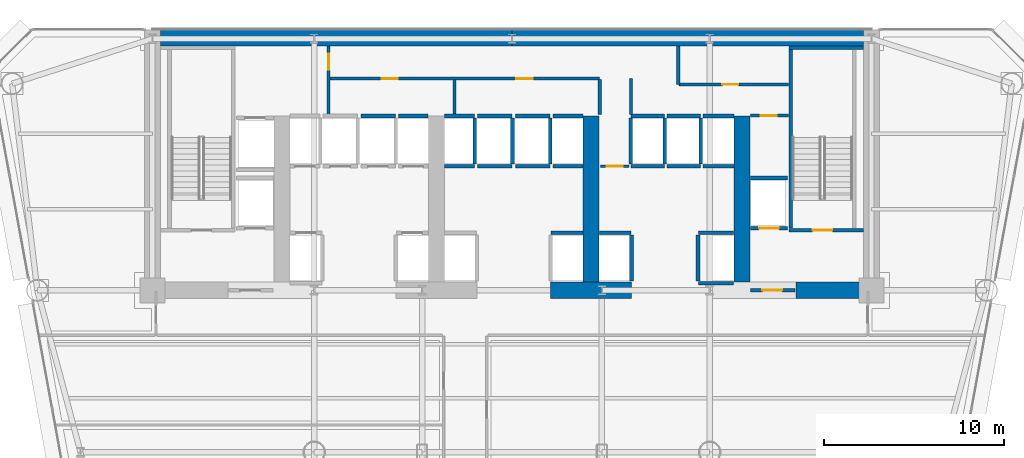
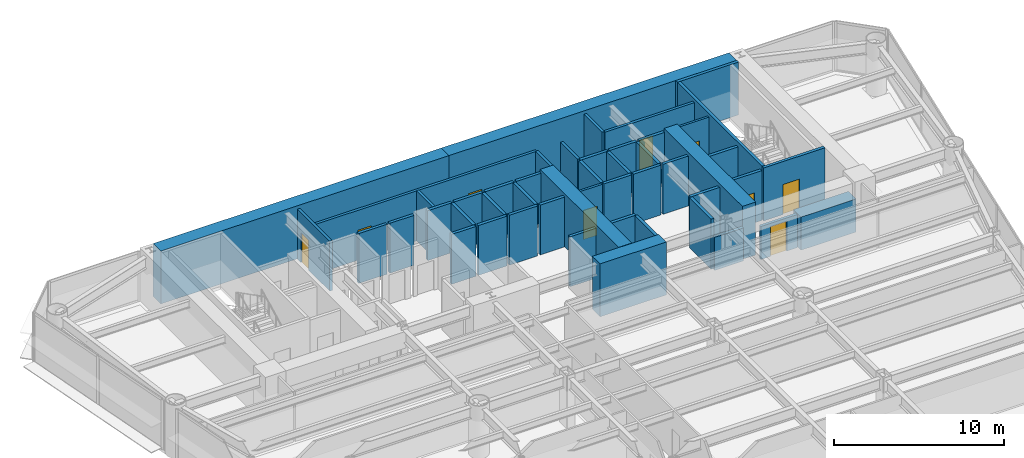
# One storey, part 9 of 14: 49 walls, 9 doors, 9 openings.
"""IFC4 building model written with IfcOpenShell, lengths in metres."""

from ifc_helpers import new_model, si_unit, direction, frame, frame_2d, origin, place, context, subcontext, project, spatial, rectangle, extrude, source, transform, mapped, material, layer, layer_set, type_object, element, fill, save


model = new_model("IFC4")

# Units and contexts
model_context = context("Model", 3, precision=1e-05, world=origin(), true_north=direction((0.0, 1.0)))
body_context = subcontext(model_context, "Body", "Model", "MODEL_VIEW")
ifc_project = project(units=[si_unit("LENGTHUNIT", "METRE"), si_unit("AREAUNIT", "SQUARE_METRE"), si_unit("VOLUMEUNIT", "CUBIC_METRE"), si_unit("PLANEANGLEUNIT", "RADIAN"), si_unit("MASSUNIT", "GRAM", prefix="KILO")], contexts=[model_context])

# Site, building, storey
site_placement = place(None, origin())
site = spatial("IfcSite", under=ifc_project, at=site_placement, CompositionType="ELEMENT")
building_placement = place(site_placement, origin())
building = spatial("IfcBuilding", under=site, at=building_placement, Name="Vaeldorn Concourse Tower", CompositionType="ELEMENT")
storey_placement = place(building_placement, frame((0.0, 0.0, 75.800048828125)))
storey = spatial("IfcBuildingStorey", under=building, at=storey_placement, Name="L19", CompositionType="ELEMENT", Elevation=75.800048828125)

# Walls
ifc_material_1 = material(Name="Concrete C60/75", Category="concrete")
ifc_layer_1 = layer(ifc_material_1, 0.89990234375)
ifc_layer_set_1 = layer_set([ifc_layer_1], Name="Concrete C60/75")
wall_type_1 = type_object("IfcWallType", Name="WL-CORE-900", PredefinedType="SHEAR", material=ifc_layer_set_1)
for number, where, z_axis, x_axis, name in (
    (1, (14.4541015625, 50.550048828125, 0.0), (0.0, 0.0, 1.0), (1.0, 0.0, 0.0), "Rear Core Shear Wall L19 N1"),
    (2, (34.001953125, 50.550048828125, 0.0), (0.0, 0.0, 1.0), (1.0, 0.0, 0.0), "Rear Core Shear Wall L19 N2"),
):
    element("IfcWall", number, at=place(storey_placement, frame(where, z_axis=z_axis, x_axis=x_axis)), inside=storey, type_object=wall_type_1, Name=name, PredefinedType="SHEAR", context=body_context, shape_type="SweptSolid", body=[
        extrude(rectangle(XDim=19.5439453125, YDim=0.89990234375, at=frame_2d((9.77197265625, 0.0))), origin(), (0.0, 0.0, 1.0), 3.800048828125),
    ])
wall_1_placement = place(storey_placement, frame((36.14990234375, 36.5, 0.0), z_axis=(0.0, 0.0, 1.0), x_axis=(1.0, 0.0, 0.0)))
element("IfcWall", 3, at=wall_1_placement, inside=storey, type_object=wall_type_1, Name="Rear Core Shear Wall L19 S3", PredefinedType="SHEAR", context=body_context, shape_type="SweptSolid", body=[
    extrude(rectangle(XDim=4.5, YDim=0.89990234375, at=frame_2d((2.25, 0.0))), origin(), (0.0, 0.0, 1.0), 3.800048828125),
])
wall_2_placement = place(storey_placement, frame((49.800048828125, 36.5, 0.0), z_axis=(0.0, 0.0, 1.0), x_axis=(1.0, 0.0, 0.0)))
element("IfcWall", 4, at=wall_2_placement, inside=storey, type_object=wall_type_1, Name="Rear Core Shear Wall L19 S4", PredefinedType="SHEAR", context=body_context, shape_type="SweptSolid", body=[
    extrude(rectangle(XDim=3.72998046875, YDim=0.89990234375, at=frame_2d((1.864990234375, 0.0))), origin(), (0.0, 0.0, 1.0), 2.3798828125),
])
for number, where, z_axis, x_axis, name in (
    (5, (38.39990234375, 36.969970703125, 0.0), (0.0, 0.0, 1.0), (0.0, 1.0, 0.0), "Rear Core Shear Wall L19 M3"),
    (6, (46.800048828125, 36.969970703125, 0.0), (0.0, 0.0, 1.0), (0.0, 1.0, 0.0), "Rear Core Shear Wall L19 M4"),
):
    element("IfcWall", number, at=place(storey_placement, frame(where, z_axis=z_axis, x_axis=x_axis)), inside=storey, type_object=wall_type_1, Name=name, PredefinedType="SHEAR", context=body_context, shape_type="SweptSolid", body=[
        extrude(rectangle(XDim=9.22998046875, YDim=0.89990234375, at=frame_2d((4.614990234375, 0.0))), origin(), (0.0, 0.0, 1.0), 3.800048828125),
    ])

# Wall, opening, door
ifc_material_2 = material(Name="Gypsum Board Partition", Category="gypsum")
ifc_layer_2 = layer(ifc_material_2, 0.14990234375)
ifc_layer_set_2 = layer_set([ifc_layer_2], Name="Gypsum Board Partition")
wall_type_2 = type_object("IfcWallType", Name="WL-PART-150", PredefinedType="PARTITIONING", material=ifc_layer_set_2)
wall_3_placement = place(storey_placement, frame((47.280029296875, 46.219970703125, 0.0), z_axis=(0.0, 0.0, 1.0), x_axis=(1.0, 0.0, 0.0)))
wall_3 = element("IfcWall", 7, at=wall_3_placement, inside=storey, type_object=wall_type_2, Name="Interior Wall CW-L19-CRSE-N", PredefinedType="PARTITIONING", context=body_context, shape_type="SweptSolid", body=[
    extrude(rectangle(XDim=2.099853515625, YDim=0.14990234375, at=frame_2d((1.0498046875, 0.0))), origin(), (0.0, 0.0, 1.0), 3.579833984375),
])
opening_1_placement = place(wall_3_placement, frame((0.550048828125, 0.0, 0.0)))
opening_1 = element("IfcOpeningElement", 8, at=opening_1_placement, cuts=wall_3, Name="Opening D-02", PredefinedType="OPENING", context=body_context, shape_type="SweptSolid", body=[
    extrude(rectangle(XDim=0.89990234375, YDim=2.10009765625, at=frame_2d((0.449951171875, 1.050048828125))), frame((0.0, 0.0849609375, 0.0), z_axis=(0.0, -1.0, 0.0), x_axis=(1.0, 0.0, 0.0)), (0.0, 0.0, 1.0), 0.169921875),
])
ifc_material_3 = material(Name="Fire-Rated Timber Leaf", Category="wood")
door_type_1 = type_object("IfcDoorType", Name="DR-FD30-900", OperationType="NOTDEFINED", PredefinedType="DOOR", material=ifc_material_3)
shared_shape_1 = source(origin(), body_context, "Body", "SweptSolid", [
    extrude(rectangle(XDim=0.89990234375, YDim=2.10009765625, at=frame_2d((0.449951171875, 1.050048828125))), frame((0.0, 0.02490234375, 0.0), z_axis=(0.0, -1.0, 0.0), x_axis=(1.0, 0.0, 0.0)), (0.0, 0.0, 1.0), 0.050048828125),
])
door_1_placement = place(opening_1_placement, origin())
door_1 = element("IfcDoor", 9, at=door_1_placement, inside=storey, type_object=door_type_1, Name="Interior Door DR-L19-CRSE", OperationType="SINGLE_SWING_RIGHT", OverallHeight=2.10009765625, OverallWidth=0.89990234375, PredefinedType="DOOR", context=body_context, shape_type="MappedRepresentation", body=[
    mapped(shared_shape_1, transform((0.0, 0.0, 0.0), scale=1.0)),
])
fill(opening_1, door_1)

wall_4_placement = place(storey_placement, frame((38.919921875, 43.39990234375, 0.0), z_axis=(0.0, 0.0, 1.0), x_axis=(1.0, 0.0, 0.0)))
wall_4 = element("IfcWall", 10, at=wall_4_placement, inside=storey, type_object=wall_type_2, Name="Interior Wall CW-L19-CCLINK", PredefinedType="PARTITIONING", context=body_context, shape_type="SweptSolid", body=[
    extrude(rectangle(XDim=1.60009765625, YDim=0.14990234375, at=frame_2d((0.800048828125, 0.0))), origin(), (0.0, 0.0, 1.0), 3.579833984375),
])
opening_2_placement = place(wall_4_placement, frame((0.35009765625, 0.0, 0.0)))
opening_2 = element("IfcOpeningElement", 11, at=opening_2_placement, cuts=wall_4, Name="Opening D-02", PredefinedType="OPENING", context=body_context, shape_type="SweptSolid", body=[
    extrude(rectangle(XDim=0.89990234375, YDim=2.10009765625, at=frame_2d((0.449951171875, 1.050048828125))), frame((0.0, 0.0849609375, 0.0), z_axis=(0.0, -1.0, 0.0), x_axis=(1.0, 0.0, 0.0)), (0.0, 0.0, 1.0), 0.169921875),
])
door_2_placement = place(opening_2_placement, origin())
door_2 = element("IfcDoor", 12, at=door_2_placement, inside=storey, type_object=door_type_1, Name="Interior Door DR-L19-CCLINK", OperationType="SINGLE_SWING_LEFT", OverallHeight=2.10009765625, OverallWidth=0.89990234375, PredefinedType="DOOR", context=body_context, shape_type="MappedRepresentation", body=[
    mapped(shared_shape_1, transform((0.0, 0.0, 0.0), scale=1.0)),
])
fill(opening_2, door_2)

# Wall, openings, doors
ifc_layer_3 = layer(ifc_material_2, 0.179931640625)
ifc_layer_set_3 = layer_set([ifc_layer_3], Name="Gypsum Board Partition")
wall_type_3 = type_object("IfcWallType", Name="WL-PLUMB-180", PredefinedType="PLUMBINGWALL", material=ifc_layer_set_3)
wall_5_placement = place(storey_placement, frame((23.85009765625, 48.280029296875, 0.0), z_axis=(0.0, 0.0, 1.0), x_axis=(1.0, 0.0, 0.0)))
wall_5 = element("IfcWall", 13, at=wall_5_placement, inside=storey, type_object=wall_type_3, Name="Interior Wall CW-L19-NS2W", PredefinedType="PLUMBINGWALL", context=body_context, shape_type="SweptSolid", body=[
    extrude(rectangle(XDim=15.02978515625, YDim=0.179931640625, at=frame_2d((7.514892578125, 0.0))), origin(), (0.0, 0.0, 1.0), 3.579833984375),
])
opening_3_placement = place(wall_5_placement, frame((2.89990234375, 0.0, 0.0)))
opening_3 = element("IfcOpeningElement", 14, at=opening_3_placement, cuts=wall_5, Name="Opening D-03", PredefinedType="OPENING", context=body_context, shape_type="SweptSolid", body=[
    extrude(rectangle(XDim=0.89990234375, YDim=2.14990234375, at=frame_2d((0.449951171875, 1.074951171875))), frame((0.0, 0.10009765625, 0.0), z_axis=(0.0, -1.0, 0.0), x_axis=(1.0, 0.0, 0.0)), (0.0, 0.0, 1.0), 0.199951171875),
])
opening_4_placement = place(wall_5_placement, frame((10.39990234375, 0.0, 0.0)))
opening_4 = element("IfcOpeningElement", 15, at=opening_4_placement, cuts=wall_5, Name="Opening D-03", PredefinedType="OPENING", context=body_context, shape_type="SweptSolid", body=[
    extrude(rectangle(XDim=0.89990234375, YDim=2.14990234375, at=frame_2d((0.449951171875, 1.074951171875))), frame((0.0, 0.10009765625, 0.0), z_axis=(0.0, -1.0, 0.0), x_axis=(1.0, 0.0, 0.0)), (0.0, 0.0, 1.0), 0.199951171875),
])
ifc_material_4 = material(Name="Acoustic Bronze-Framed Glass Door", Category="glass")
door_type_2 = type_object("IfcDoorType", Name="DR-INT-900", OperationType="NOTDEFINED", PredefinedType="DOOR", material=ifc_material_4)
shared_shape_2 = source(origin(), body_context, "Body", "SweptSolid", [
    extrude(rectangle(XDim=0.89990234375, YDim=2.14990234375, at=frame_2d((0.449951171875, 1.074951171875))), frame((0.0, 0.02490234375, 0.0), z_axis=(0.0, -1.0, 0.0), x_axis=(1.0, 0.0, 0.0)), (0.0, 0.0, 1.0), 0.050048828125),
])
door_3_placement = place(opening_3_placement, origin())
door_3 = element("IfcDoor", 16, at=door_3_placement, inside=storey, type_object=door_type_2, Name="Interior Door DR-L19-CS2", OperationType="SINGLE_SWING_RIGHT", OverallHeight=2.14990234375, OverallWidth=0.89990234375, PredefinedType="DOOR", context=body_context, shape_type="MappedRepresentation", body=[
    mapped(shared_shape_2, transform((0.0, 0.0, 0.0), scale=1.0)),
])
fill(opening_3, door_3)
door_4_placement = place(opening_4_placement, origin())
door_4 = element("IfcDoor", 17, at=door_4_placement, inside=storey, type_object=door_type_2, Name="Interior Door DR-L19-CS3", OperationType="SINGLE_SWING_LEFT", OverallHeight=2.14990234375, OverallWidth=0.89990234375, PredefinedType="DOOR", context=body_context, shape_type="MappedRepresentation", body=[
    mapped(shared_shape_2, transform((0.0, 0.0, 0.0), scale=1.0)),
])
fill(opening_4, door_4)

# Wall, opening, door
wall_6_placement = place(storey_placement, frame((23.800048828125, 46.280029296875, 0.0), z_axis=(0.0, 0.0, 1.0), x_axis=(0.0, 1.0, 0.0)))
wall_6 = element("IfcWall", 18, at=wall_6_placement, inside=storey, type_object=wall_type_3, Name="Interior Wall CW-L19-SDIV1", PredefinedType="PLUMBINGWALL", context=body_context, shape_type="SweptSolid", body=[
    extrude(rectangle(XDim=3.800048828125, YDim=0.179931640625, at=frame_2d((1.89990234375, 0.0))), origin(), (0.0, 0.0, 1.0), 3.579833984375),
])
opening_5_placement = place(wall_6_placement, frame((2.485107421875, 0.0, 0.0)))
opening_5 = element("IfcOpeningElement", 19, at=opening_5_placement, cuts=wall_6, Name="Opening D-03", PredefinedType="OPENING", context=body_context, shape_type="SweptSolid", body=[
    extrude(rectangle(XDim=0.89990234375, YDim=2.14990234375, at=frame_2d((0.449951171875, 1.074951171875))), frame((0.0, 0.10009765625, 0.0), z_axis=(0.0, -1.0, 0.0), x_axis=(1.0, 0.0, 0.0)), (0.0, 0.0, 1.0), 0.199951171875),
])
door_5_placement = place(opening_5_placement, origin())
door_5 = element("IfcDoor", 20, at=door_5_placement, inside=storey, type_object=door_type_2, Name="Interior Door DR-L19-CS1", OperationType="SINGLE_SWING_LEFT", OverallHeight=2.14990234375, OverallWidth=0.89990234375, PredefinedType="DOOR", context=body_context, shape_type="MappedRepresentation", body=[
    mapped(shared_shape_2, transform((0.0, 0.0, 0.0), scale=1.0)),
])
fill(opening_5, door_5)

# Walls
for number, where, z_axis, x_axis, name in (
    (21, (30.800048828125, 46.280029296875, 0.0), (0.0, 0.0, 1.0), (0.0, 1.0, 0.0), "Interior Wall CW-L19-SDIV2"),
    (22, (38.8798828125, 46.280029296875, 0.0), (0.0, 0.0, 1.0), (0.0, 1.0, 0.0), "Interior Wall CW-L19-SDIV4"),
):
    element("IfcWall", number, at=place(storey_placement, frame(where, z_axis=z_axis, x_axis=x_axis)), inside=storey, type_object=wall_type_3, Name=name, PredefinedType="PLUMBINGWALL", context=body_context, shape_type="SweptSolid", body=[
        extrude(rectangle(XDim=1.93994140625, YDim=0.179931640625, at=frame_2d((0.969970703125, 0.0))), origin(), (0.0, 0.0, 1.0), 3.579833984375),
    ])
wall_7_placement = place(storey_placement, frame((40.6201171875, 46.280029296875, 0.0), z_axis=(0.0, 0.0, 1.0), x_axis=(0.0, 1.0, 0.0)))
element("IfcWall", 23, at=wall_7_placement, inside=storey, type_object=wall_type_3, Name="Interior Wall CW-L19-SDIV5", PredefinedType="PLUMBINGWALL", context=body_context, shape_type="SweptSolid", body=[
    extrude(rectangle(XDim=2.0, YDim=0.179931640625, at=frame_2d((1.0, 0.0))), origin(), (0.0, 0.0, 1.0), 3.579833984375),
])
wall_8_placement = place(storey_placement, frame((43.25, 47.949951171875, 0.0), z_axis=(0.0, 0.0, 1.0), x_axis=(0.0, 1.0, 0.0)))
element("IfcWall", 24, at=wall_8_placement, inside=storey, type_object=wall_type_3, Name="Interior Wall CW-L19-SDIV6", PredefinedType="PLUMBINGWALL", context=body_context, shape_type="SweptSolid", body=[
    extrude(rectangle(XDim=2.130126953125, YDim=0.179931640625, at=frame_2d((1.06494140625, 0.0))), origin(), (0.0, 0.0, 1.0), 3.579833984375),
])

# Wall, opening, door
wall_9_placement = place(storey_placement, frame((43.300048828125, 47.949951171875, 0.0), z_axis=(0.0, 0.0, 1.0), x_axis=(1.0, 0.0, 0.0)))
wall_9 = element("IfcWall", 25, at=wall_9_placement, inside=storey, type_object=wall_type_3, Name="Interior Wall CW-L19-NS2EE", PredefinedType="PLUMBINGWALL", context=body_context, shape_type="SweptSolid", body=[
    extrude(rectangle(XDim=6.079833984375, YDim=0.179931640625, at=frame_2d((3.0400390625, 0.0))), origin(), (0.0, 0.0, 1.0), 3.579833984375),
])
opening_6_placement = place(wall_9_placement, frame((2.39990234375, 0.0, 0.0)))
opening_6 = element("IfcOpeningElement", 26, at=opening_6_placement, cuts=wall_9, Name="Opening D-03", PredefinedType="OPENING", context=body_context, shape_type="SweptSolid", body=[
    extrude(rectangle(XDim=0.89990234375, YDim=2.14990234375, at=frame_2d((0.449951171875, 1.074951171875))), frame((0.0, 0.10009765625, 0.0), z_axis=(0.0, -1.0, 0.0), x_axis=(1.0, 0.0, 0.0)), (0.0, 0.0, 1.0), 0.199951171875),
])
door_6_placement = place(opening_6_placement, origin())
door_6 = element("IfcDoor", 27, at=door_6_placement, inside=storey, type_object=door_type_2, Name="Interior Door DR-L19-CS5", OperationType="SINGLE_SWING_RIGHT", OverallHeight=2.14990234375, OverallWidth=0.89990234375, PredefinedType="DOOR", context=body_context, shape_type="MappedRepresentation", body=[
    mapped(shared_shape_2, transform((0.0, 0.0, 0.0), scale=1.0)),
])
fill(opening_6, door_6)

ifc_material_5 = material(Name="Concrete C50/60", Category="concrete")
ifc_layer_4 = layer(ifc_material_5, 0.199951171875)
ifc_layer_set_4 = layer_set([ifc_layer_4], Name="Concrete C50/60")
wall_type_4 = type_object("IfcWallType", Name="WL-SHAFT-200", PredefinedType="SOLIDWALL", material=ifc_layer_set_4)
wall_10_placement = place(storey_placement, frame((49.39990234375, 39.85009765625, 0.0), z_axis=(0.0, 0.0, 1.0), x_axis=(1.0, 0.0, 0.0)))
wall_10 = element("IfcWall", 28, at=wall_10_placement, inside=storey, type_object=wall_type_4, Name="Stair Shaft Wall CW-L19-ST-2-S", PredefinedType="SOLIDWALL", context=body_context, shape_type="SweptSolid", body=[
    extrude(rectangle(XDim=4.150146484375, YDim=0.199951171875, at=frame_2d((2.0751953125, 0.0))), origin(), (0.0, 0.0, 1.0), 3.800048828125),
])
opening_7_placement = place(wall_10_placement, frame((1.324951171875, 0.0, 0.0)))
opening_7 = element("IfcOpeningElement", 29, at=opening_7_placement, cuts=wall_10, Name="Opening D-01", PredefinedType="OPENING", context=body_context, shape_type="SweptSolid", body=[
    extrude(rectangle(XDim=1.10009765625, YDim=2.14990234375, at=frame_2d((0.550048828125, 1.074951171875))), frame((0.0, 0.10986328125, 0.0), z_axis=(0.0, -1.0, 0.0), x_axis=(1.0, 0.0, 0.0)), (0.0, 0.0, 1.0), 0.219970703125),
])
ifc_material_6 = material(Name="Fire-Rated Timber and Steel Leaf", Category="steel")
door_type_3 = type_object("IfcDoorType", Name="DR-FD60-1100", OperationType="NOTDEFINED", PredefinedType="DOOR", material=ifc_material_6)
shared_shape_3 = source(origin(), body_context, "Body", "SweptSolid", [
    extrude(rectangle(XDim=1.10009765625, YDim=2.14990234375, at=frame_2d((0.550048828125, 1.074951171875))), frame((0.0, 0.02490234375, 0.0), z_axis=(0.0, -1.0, 0.0), x_axis=(1.0, 0.0, 0.0)), (0.0, 0.0, 1.0), 0.050048828125),
])
door_7_placement = place(opening_7_placement, origin())
door_7 = element("IfcDoor", 30, at=door_7_placement, inside=storey, type_object=door_type_3, Name="Interior Door DR-L19-ST-2", OperationType="SINGLE_SWING_RIGHT", OverallHeight=2.14990234375, OverallWidth=1.10009765625, PredefinedType="DOOR", context=body_context, shape_type="MappedRepresentation", body=[
    mapped(shared_shape_3, transform((0.0, 0.0, 0.0), scale=1.0)),
])
fill(opening_7, door_7)

# Walls
wall_11_placement = place(storey_placement, frame((49.39990234375, 50.0, 0.0), z_axis=(0.0, 0.0, 1.0), x_axis=(1.0, 0.0, 0.0)))
element("IfcWall", 31, at=wall_11_placement, inside=storey, type_object=wall_type_4, Name="Stair Shaft Wall CW-L19-ST-2-N", PredefinedType="SOLIDWALL", context=body_context, shape_type="SweptSolid", body=[
    extrude(rectangle(XDim=4.150146484375, YDim=0.199951171875, at=frame_2d((2.0751953125, 0.0))), origin(), (0.0, 0.0, 1.0), 3.800048828125),
])
wall_12_placement = place(storey_placement, frame((49.5, 39.9599609375, 0.0), z_axis=(0.0, 0.0, 1.0), x_axis=(0.0, 1.0, 0.0)))
element("IfcWall", 32, at=wall_12_placement, inside=storey, type_object=wall_type_4, Name="Stair Shaft Wall CW-L19-ST-2-W", PredefinedType="SOLIDWALL", context=body_context, shape_type="SweptSolid", body=[
    extrude(rectangle(XDim=9.929931640625, YDim=0.199951171875, at=frame_2d((4.96484375, 0.0))), origin(), (0.0, 0.0, 1.0), 3.800048828125),
])

# Wall, opening, door
wall_13_placement = place(storey_placement, frame((47.280029296875, 36.5, 0.0), z_axis=(0.0, 0.0, 1.0), x_axis=(1.0, 0.0, 0.0)))
wall_13 = element("IfcWall", 33, at=wall_13_placement, inside=storey, type_object=wall_type_4, Name="Interior Wall CW-L19-FF2S", PredefinedType="SOLIDWALL", context=body_context, shape_type="SweptSolid", body=[
    extrude(rectangle(XDim=2.469970703125, YDim=0.199951171875, at=frame_2d((1.23486328125, 0.0))), origin(), (0.0, 0.0, 1.0), 2.369873046875),
])
opening_8_placement = place(wall_13_placement, frame((0.64990234375, 0.0, 0.0)))
opening_8 = element("IfcOpeningElement", 34, at=opening_8_placement, cuts=wall_13, Name="Opening D-01", PredefinedType="OPENING", context=body_context, shape_type="SweptSolid", body=[
    extrude(rectangle(XDim=1.10009765625, YDim=2.14990234375, at=frame_2d((0.550048828125, 1.074951171875))), frame((0.0, 0.10986328125, 0.0), z_axis=(0.0, -1.0, 0.0), x_axis=(1.0, 0.0, 0.0)), (0.0, 0.0, 1.0), 0.219970703125),
])
door_8_placement = place(opening_8_placement, origin())
door_8 = element("IfcDoor", 35, at=door_8_placement, inside=storey, type_object=door_type_3, Name="Interior Door DR-L19-FF2W", OperationType="SINGLE_SWING_LEFT", OverallHeight=2.14990234375, OverallWidth=1.10009765625, PredefinedType="DOOR", context=body_context, shape_type="MappedRepresentation", body=[
    mapped(shared_shape_3, transform((0.0, 0.0, 0.0), scale=1.0)),
])
fill(opening_8, door_8)

# Walls
wall_14_placement = place(storey_placement, frame((25.590087890625, 46.199951171875, 0.0), z_axis=(0.0, 0.0, 1.0), x_axis=(1.0, 0.0, 0.0)))
element("IfcWall", 36, at=wall_14_placement, inside=storey, type_object=wall_type_4, Name="Interior Wall CW-L19-LFB-LF-05", PredefinedType="SOLIDWALL", context=body_context, shape_type="SweptSolid", body=[
    extrude(rectangle(XDim=1.919921875, YDim=0.199951171875, at=frame_2d((0.9599609375, 0.0))), origin(), (0.0, 0.0, 1.0), 3.579833984375),
])
wall_15_placement = place(storey_placement, frame((27.68994140625, 46.199951171875, 0.0), z_axis=(0.0, 0.0, 1.0), x_axis=(1.0, 0.0, 0.0)))
element("IfcWall", 37, at=wall_15_placement, inside=storey, type_object=wall_type_4, Name="Interior Wall CW-L19-LFB-LF-06", PredefinedType="SOLIDWALL", context=body_context, shape_type="SweptSolid", body=[
    extrude(rectangle(XDim=1.650146484375, YDim=0.199951171875, at=frame_2d((0.8251953125, 0.0))), origin(), (0.0, 0.0, 1.0), 3.579833984375),
])
wall_16_placement = place(storey_placement, frame((36.169921875, 39.699951171875, 0.0), z_axis=(0.0, 0.0, 1.0), x_axis=(1.0, 0.0, 0.0)))
element("IfcWall", 38, at=wall_16_placement, inside=storey, type_object=wall_type_4, Name="Interior Wall CW-L19-LF-LF-08", PredefinedType="SOLIDWALL", context=body_context, shape_type="SweptSolid", body=[
    extrude(rectangle(XDim=1.77001953125, YDim=0.199951171875, at=frame_2d((0.885009765625, 0.0))), origin(), (0.0, 0.0, 1.0), 3.579833984375),
])
for number, where, z_axis, x_axis, name in (
    (39, (30.260009765625, 43.39990234375, 0.0), (0.0, 0.0, 1.0), (1.0, 0.0, 0.0), "Interior Wall CW-L19-LF-LF-09"),
    (40, (30.260009765625, 46.199951171875, 0.0), (0.0, 0.0, 1.0), (1.0, 0.0, 0.0), "Interior Wall CW-L19-LFB-LF-09"),
):
    element("IfcWall", number, at=place(storey_placement, frame(where, z_axis=z_axis, x_axis=x_axis)), inside=storey, type_object=wall_type_4, Name=name, PredefinedType="SOLIDWALL", context=body_context, shape_type="SweptSolid", body=[
        extrude(rectangle(XDim=1.64990234375, YDim=0.199951171875, at=frame_2d((0.824951171875, 0.0))), origin(), (0.0, 0.0, 1.0), 3.579833984375),
    ])
wall_17_placement = place(storey_placement, frame((31.929931640625, 43.52001953125, 0.0), z_axis=(0.0, 0.0, 1.0), x_axis=(0.0, 1.0, 0.0)))
element("IfcWall", 41, at=wall_17_placement, inside=storey, type_object=wall_type_4, Name="Interior Wall CW-L19-LFE-LF-09", PredefinedType="SOLIDWALL", context=body_context, shape_type="SweptSolid", body=[
    extrude(rectangle(XDim=2.56005859375, YDim=0.199951171875, at=frame_2d((1.280029296875, 0.0))), origin(), (0.0, 0.0, 1.0), 3.579833984375),
])
for number, where, z_axis, x_axis, name in (
    (42, (32.090087890625, 43.39990234375, 0.0), (0.0, 0.0, 1.0), (1.0, 0.0, 0.0), "Interior Wall CW-L19-LF-LF-10"),
    (43, (32.090087890625, 46.199951171875, 0.0), (0.0, 0.0, 1.0), (1.0, 0.0, 0.0), "Interior Wall CW-L19-LFB-LF-10"),
):
    element("IfcWall", number, at=place(storey_placement, frame(where, z_axis=z_axis, x_axis=x_axis)), inside=storey, type_object=wall_type_4, Name=name, PredefinedType="SOLIDWALL", context=body_context, shape_type="SweptSolid", body=[
        extrude(rectangle(XDim=1.919921875, YDim=0.199951171875, at=frame_2d((0.9599609375, 0.0))), origin(), (0.0, 0.0, 1.0), 3.579833984375),
    ])
wall_18_placement = place(storey_placement, frame((34.030029296875, 43.52001953125, 0.0), z_axis=(0.0, 0.0, 1.0), x_axis=(0.0, 1.0, 0.0)))
element("IfcWall", 44, at=wall_18_placement, inside=storey, type_object=wall_type_4, Name="Interior Wall CW-L19-LFE-LF-10", PredefinedType="SOLIDWALL", context=body_context, shape_type="SweptSolid", body=[
    extrude(rectangle(XDim=2.56005859375, YDim=0.199951171875, at=frame_2d((1.280029296875, 0.0))), origin(), (0.0, 0.0, 1.0), 3.579833984375),
])
for number, where, z_axis, x_axis, name in (
    (45, (34.18994140625, 43.39990234375, 0.0), (0.0, 0.0, 1.0), (1.0, 0.0, 0.0), "Interior Wall CW-L19-LF-LF-11"),
    (46, (34.18994140625, 46.199951171875, 0.0), (0.0, 0.0, 1.0), (1.0, 0.0, 0.0), "Interior Wall CW-L19-LFB-LF-11"),
):
    element("IfcWall", number, at=place(storey_placement, frame(where, z_axis=z_axis, x_axis=x_axis)), inside=storey, type_object=wall_type_4, Name=name, PredefinedType="SOLIDWALL", context=body_context, shape_type="SweptSolid", body=[
        extrude(rectangle(XDim=1.920166015625, YDim=0.199951171875, at=frame_2d((0.9599609375, 0.0))), origin(), (0.0, 0.0, 1.0), 3.579833984375),
    ])
wall_19_placement = place(storey_placement, frame((36.1298828125, 43.52001953125, 0.0), z_axis=(0.0, 0.0, 1.0), x_axis=(0.0, 1.0, 0.0)))
element("IfcWall", 47, at=wall_19_placement, inside=storey, type_object=wall_type_4, Name="Interior Wall CW-L19-LFE-LF-11", PredefinedType="SOLIDWALL", context=body_context, shape_type="SweptSolid", body=[
    extrude(rectangle(XDim=2.56005859375, YDim=0.199951171875, at=frame_2d((1.280029296875, 0.0))), origin(), (0.0, 0.0, 1.0), 3.579833984375),
])
for number, where, z_axis, x_axis, name in (
    (48, (36.2900390625, 43.39990234375, 0.0), (0.0, 0.0, 1.0), (1.0, 0.0, 0.0), "Interior Wall CW-L19-LF-LF-12"),
    (49, (36.2900390625, 46.199951171875, 0.0), (0.0, 0.0, 1.0), (1.0, 0.0, 0.0), "Interior Wall CW-L19-LFB-LF-12"),
):
    element("IfcWall", number, at=place(storey_placement, frame(where, z_axis=z_axis, x_axis=x_axis)), inside=storey, type_object=wall_type_4, Name=name, PredefinedType="SOLIDWALL", context=body_context, shape_type="SweptSolid", body=[
        extrude(rectangle(XDim=1.64990234375, YDim=0.199951171875, at=frame_2d((0.824951171875, 0.0))), origin(), (0.0, 0.0, 1.0), 3.579833984375),
    ])
wall_20_placement = place(storey_placement, frame((38.860107421875, 39.699951171875, 0.0), z_axis=(0.0, 0.0, 1.0), x_axis=(1.0, 0.0, 0.0)))
element("IfcWall", 50, at=wall_20_placement, inside=storey, type_object=wall_type_4, Name="Interior Wall CW-L19-LF-LF-13", PredefinedType="SOLIDWALL", context=body_context, shape_type="SweptSolid", body=[
    extrude(rectangle(XDim=1.769775390625, YDim=0.199951171875, at=frame_2d((0.884765625, 0.0))), origin(), (0.0, 0.0, 1.0), 3.579833984375),
])
wall_21_placement = place(storey_placement, frame((40.64990234375, 37.02001953125, 0.0), z_axis=(0.0, 0.0, 1.0), x_axis=(0.0, 1.0, 0.0)))
element("IfcWall", 51, at=wall_21_placement, inside=storey, type_object=wall_type_4, Name="Interior Wall CW-L19-LFE-LF-13", PredefinedType="SOLIDWALL", context=body_context, shape_type="SweptSolid", body=[
    extrude(rectangle(XDim=2.56005859375, YDim=0.199951171875, at=frame_2d((1.280029296875, 0.0))), origin(), (0.0, 0.0, 1.0), 3.579833984375),
])
wall_22_placement = place(storey_placement, frame((44.3701171875, 39.699951171875, 0.0), z_axis=(0.0, 0.0, 1.0), x_axis=(1.0, 0.0, 0.0)))
element("IfcWall", 52, at=wall_22_placement, inside=storey, type_object=wall_type_4, Name="Interior Wall CW-L19-LF-LF-14", PredefinedType="SOLIDWALL", context=body_context, shape_type="SweptSolid", body=[
    extrude(rectangle(XDim=1.9599609375, YDim=0.199951171875, at=frame_2d((0.97998046875, 0.0))), origin(), (0.0, 0.0, 1.0), 3.579833984375),
])
wall_23_placement = place(storey_placement, frame((44.3701171875, 36.89990234375, 0.0), z_axis=(0.0, 0.0, 1.0), x_axis=(1.0, 0.0, 0.0)))
element("IfcWall", 53, at=wall_23_placement, inside=storey, type_object=wall_type_4, Name="Interior Wall CW-L19-LFB-LF-14", PredefinedType="SOLIDWALL", context=body_context, shape_type="SweptSolid", body=[
    extrude(rectangle(XDim=1.9599609375, YDim=0.199951171875, at=frame_2d((0.97998046875, 0.0))), origin(), (0.0, 0.0, 1.0), 2.369873046875),
])
wall_24_placement = place(storey_placement, frame((44.35009765625, 37.02001953125, 0.0), z_axis=(0.0, 0.0, 1.0), x_axis=(0.0, 1.0, 0.0)))
element("IfcWall", 54, at=wall_24_placement, inside=storey, type_object=wall_type_4, Name="Interior Wall CW-L19-LFW-LF-14", PredefinedType="SOLIDWALL", context=body_context, shape_type="SweptSolid", body=[
    extrude(rectangle(XDim=2.56005859375, YDim=0.199951171875, at=frame_2d((1.280029296875, 0.0))), origin(), (0.0, 0.0, 1.0), 3.579833984375),
])
for number, where, z_axis, x_axis, name in (
    (55, (40.6201171875, 43.39990234375, 0.0), (0.0, 0.0, 1.0), (1.0, 0.0, 0.0), "Interior Wall CW-L19-LF-LF-15"),
    (56, (40.6201171875, 46.199951171875, 0.0), (0.0, 0.0, 1.0), (1.0, 0.0, 0.0), "Interior Wall CW-L19-LFB-LF-15"),
):
    element("IfcWall", number, at=place(storey_placement, frame(where, z_axis=z_axis, x_axis=x_axis)), inside=storey, type_object=wall_type_4, Name=name, PredefinedType="SOLIDWALL", context=body_context, shape_type="SweptSolid", body=[
        extrude(rectangle(XDim=1.85986328125, YDim=0.199951171875, at=frame_2d((0.929931640625, 0.0))), origin(), (0.0, 0.0, 1.0), 3.579833984375),
    ])
for number, where, z_axis, x_axis, name in (
    (57, (40.60009765625, 43.52001953125, 0.0), (0.0, 0.0, 1.0), (0.0, 1.0, 0.0), "Interior Wall CW-L19-LFW-LF-15"),
    (58, (42.5, 43.52001953125, 0.0), (0.0, 0.0, 1.0), (0.0, 1.0, 0.0), "Interior Wall CW-L19-LFE-LF-15"),
):
    element("IfcWall", number, at=place(storey_placement, frame(where, z_axis=z_axis, x_axis=x_axis)), inside=storey, type_object=wall_type_4, Name=name, PredefinedType="SOLIDWALL", context=body_context, shape_type="SweptSolid", body=[
        extrude(rectangle(XDim=2.56005859375, YDim=0.199951171875, at=frame_2d((1.280029296875, 0.0))), origin(), (0.0, 0.0, 1.0), 3.579833984375),
    ])
for number, where, z_axis, x_axis, name in (
    (59, (42.6201171875, 43.39990234375, 0.0), (0.0, 0.0, 1.0), (1.0, 0.0, 0.0), "Interior Wall CW-L19-LF-LF-16"),
    (60, (42.6201171875, 46.199951171875, 0.0), (0.0, 0.0, 1.0), (1.0, 0.0, 0.0), "Interior Wall CW-L19-LFB-LF-16"),
):
    element("IfcWall", number, at=place(storey_placement, frame(where, z_axis=z_axis, x_axis=x_axis)), inside=storey, type_object=wall_type_4, Name=name, PredefinedType="SOLIDWALL", context=body_context, shape_type="SweptSolid", body=[
        extrude(rectangle(XDim=1.85986328125, YDim=0.199951171875, at=frame_2d((0.929931640625, 0.0))), origin(), (0.0, 0.0, 1.0), 3.579833984375),
    ])
wall_25_placement = place(storey_placement, frame((44.5, 43.52001953125, 0.0), z_axis=(0.0, 0.0, 1.0), x_axis=(0.0, 1.0, 0.0)))
element("IfcWall", 61, at=wall_25_placement, inside=storey, type_object=wall_type_4, Name="Interior Wall CW-L19-LFE-LF-16", PredefinedType="SOLIDWALL", context=body_context, shape_type="SweptSolid", body=[
    extrude(rectangle(XDim=2.56005859375, YDim=0.199951171875, at=frame_2d((1.280029296875, 0.0))), origin(), (0.0, 0.0, 1.0), 3.579833984375),
])
for number, where, z_axis, x_axis, name in (
    (62, (44.6201171875, 43.39990234375, 0.0), (0.0, 0.0, 1.0), (1.0, 0.0, 0.0), "Interior Wall CW-L19-LF-LF-17"),
    (63, (44.6201171875, 46.199951171875, 0.0), (0.0, 0.0, 1.0), (1.0, 0.0, 0.0), "Interior Wall CW-L19-LFB-LF-17"),
):
    element("IfcWall", number, at=place(storey_placement, frame(where, z_axis=z_axis, x_axis=x_axis)), inside=storey, type_object=wall_type_4, Name=name, PredefinedType="SOLIDWALL", context=body_context, shape_type="SweptSolid", body=[
        extrude(rectangle(XDim=1.719970703125, YDim=0.199951171875, at=frame_2d((0.85986328125, 0.0))), origin(), (0.0, 0.0, 1.0), 3.579833984375),
    ])

# Wall, opening, door
wall_26_placement = place(storey_placement, frame((47.260009765625, 39.949951171875, 0.0), z_axis=(0.0, 0.0, 1.0), x_axis=(1.0, 0.0, 0.0)))
wall_26 = element("IfcWall", 64, at=wall_26_placement, inside=storey, type_object=wall_type_4, Name="Interior Wall CW-L19-LF-LF-FF2", PredefinedType="SOLIDWALL", context=body_context, shape_type="SweptSolid", body=[
    extrude(rectangle(XDim=2.070068359375, YDim=0.199951171875, at=frame_2d((1.03515625, 0.0))), origin(), (0.0, 0.0, 1.0), 3.579833984375),
])
opening_9_placement = place(wall_26_placement, frame((0.485107421875, 0.0, 0.0)))
opening_9 = element("IfcOpeningElement", 65, at=opening_9_placement, cuts=wall_26, Name="Opening LD-1", PredefinedType="OPENING", context=body_context, shape_type="SweptSolid", body=[
    extrude(rectangle(XDim=1.10009765625, YDim=2.14990234375, at=frame_2d((0.550048828125, 1.074951171875))), frame((0.0, 0.10986328125, 0.0), z_axis=(0.0, -1.0, 0.0), x_axis=(1.0, 0.0, 0.0)), (0.0, 0.0, 1.0), 0.219970703125),
])
ifc_material_7 = material(Name="Anodised Bronze Aluminium", Category="aluminium")
door_type_4 = type_object("IfcDoorType", Name="DR-LIFT-SLIDE-1100", OperationType="DOUBLE_DOOR_SLIDING", PredefinedType="DOOR", material=ifc_material_7)
door_9_placement = place(opening_9_placement, origin())
door_9 = element("IfcDoor", 66, at=door_9_placement, inside=storey, type_object=door_type_4, Name="Lift Landing Door LD-L19-LF-FF2", OperationType="DOUBLE_DOOR_SLIDING", OverallHeight=2.14990234375, OverallWidth=1.10009765625, PredefinedType="DOOR", context=body_context, shape_type="MappedRepresentation", body=[
    mapped(shared_shape_3, transform((0.0, 0.0, 0.0), scale=1.0)),
])
fill(opening_9, door_9)

# Wall
wall_27_placement = place(storey_placement, frame((47.260009765625, 42.75, 0.0), z_axis=(0.0, 0.0, 1.0), x_axis=(1.0, 0.0, 0.0)))
element("IfcWall", 67, at=wall_27_placement, inside=storey, type_object=wall_type_4, Name="Interior Wall CW-L19-LFB-LF-FF2", PredefinedType="SOLIDWALL", context=body_context, shape_type="SweptSolid", body=[
    extrude(rectangle(XDim=2.070068359375, YDim=0.199951171875, at=frame_2d((1.03515625, 0.0))), origin(), (0.0, 0.0, 1.0), 3.579833984375),
])

save(model, "model.ifc")
